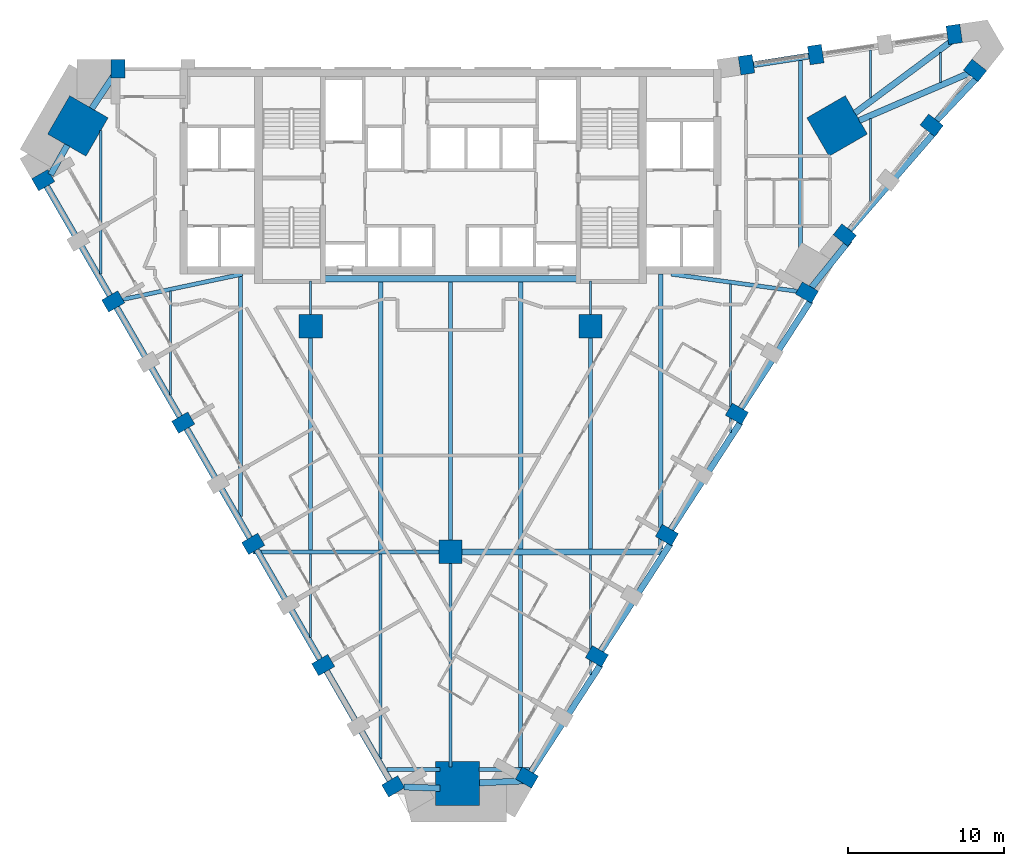
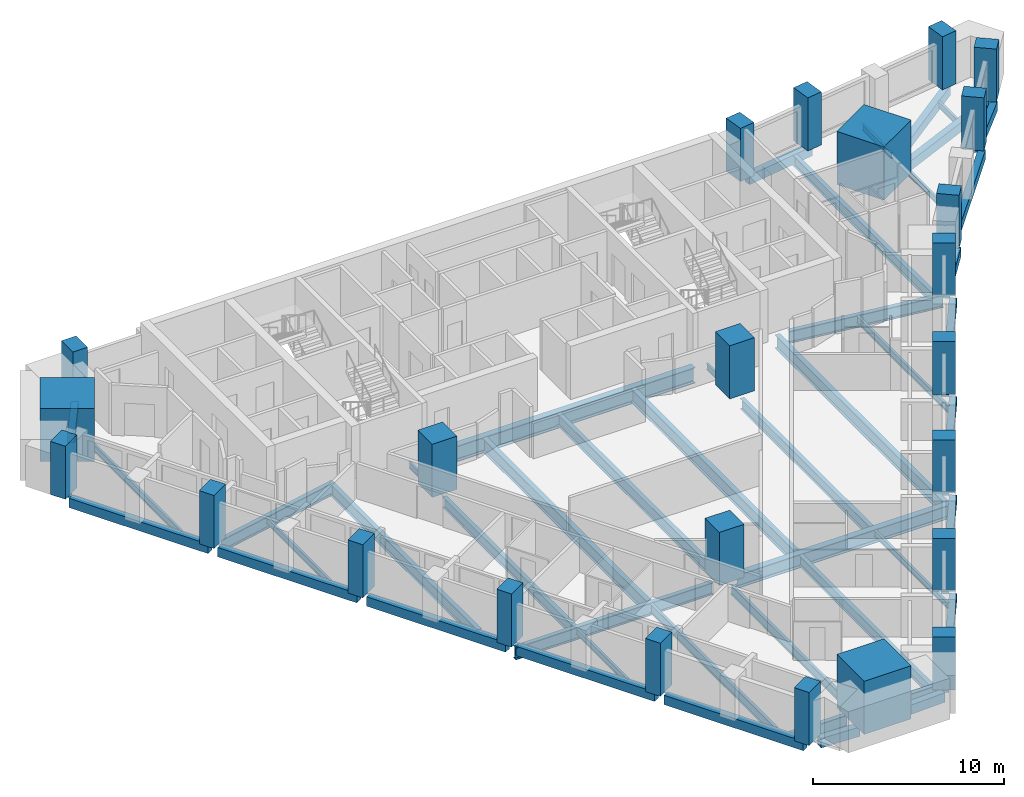
# One storey, part 1 of 11: 47 beams, 24 columns.
"""IFC4 building model written with IfcOpenShell, lengths in metres."""

from ifc_helpers import new_model, si_unit, direction, frame, origin, origin_2d, place, context, subcontext, project, spatial, rectangle, i_section, extrude, material, material_profile, profile_set, type_object, element, save


model = new_model("IFC4")

# Units and contexts
model_context = context("Model", 3, precision=1e-05, world=origin(), true_north=direction((0.0, 1.0)))
body_context = subcontext(model_context, "Body", "Model", "MODEL_VIEW")
ifc_project = project(units=[si_unit("LENGTHUNIT", "METRE"), si_unit("AREAUNIT", "SQUARE_METRE"), si_unit("VOLUMEUNIT", "CUBIC_METRE"), si_unit("PLANEANGLEUNIT", "RADIAN"), si_unit("MASSUNIT", "GRAM", prefix="KILO")], contexts=[model_context])

# Site, building, storey
site_placement = place(None, origin())
site = spatial("IfcSite", under=ifc_project, at=site_placement, CompositionType="ELEMENT")
building_placement = place(site_placement, origin())
building = spatial("IfcBuilding", under=site, at=building_placement, Name="Calabash Gate Tower", CompositionType="ELEMENT")
storey_placement = place(building_placement, frame((0.0, 0.0, 125.800048828125)))
storey = spatial("IfcBuildingStorey", under=building, at=storey_placement, Name="L29", CompositionType="ELEMENT", Elevation=125.800048828125)

# Columns
ifc_material_1 = material(Name="Concrete C80/95", Category="concrete")
ifc_material_profile_1 = material_profile(ifc_material_1, rectangle(XDim=1.5, YDim=1.5, at=origin_2d()))
ifc_profile_set_1 = profile_set([ifc_material_profile_1], Name="Concrete C80/95")
column_type_1 = type_object("IfcColumnType", Name="Interior column RC 1500x1500 Concrete C80/95", PredefinedType="COLUMN", material=ifc_profile_set_1)
for number, where, z_axis, x_axis, name in (
    (1, (-9.0, 2.5, 0.0), (0.0, 0.0, 1.0), (1.0, 0.0, 0.0), "Interior column L29 I0"),
    (2, (9.0, 2.5, 0.0), (0.0, 0.0, 1.0), (1.0, 0.0, 0.0), "Interior column L29 I1"),
    (3, (0.0, -12.0, 0.0), (0.0, 0.0, 1.0), (1.0, 0.0, 0.0), "Interior column L29 I2"),
):
    element("IfcColumn", number, at=place(storey_placement, frame(where, z_axis=z_axis, x_axis=x_axis)), inside=storey, type_object=column_type_1, Name=name, PredefinedType="COLUMN", context=body_context, shape_type="SweptSolid", body=[
        extrude(rectangle(XDim=1.5, YDim=1.5, at=origin_2d()), origin(), (0.0, 0.0, 1.0), 3.39990234375),
    ])
ifc_material_2 = material(Name="Concrete C80/95", Category="concrete")
ifc_material_profile_2 = material_profile(ifc_material_2, rectangle(XDim=2.85009765625, YDim=2.85009765625, at=origin_2d()))
ifc_profile_set_2 = profile_set([ifc_material_profile_2], Name="Concrete C80/95")
column_type_2 = type_object("IfcColumnType", Name="Mega column RC 2850x2850 Concrete C80/95", PredefinedType="COLUMN", material=ifc_profile_set_2)
for number, where, z_axis, x_axis, name in (
    (4, (-23.962890625, 15.382080078125, 0.0), (0.0, 0.0, 1.0), (0.866025403784, -0.5, 0.0), "Mega column L29 NW"),
    (5, (24.85205078125, 15.382080078125, 0.0), (0.0, 0.0, 1.0), (-0.866025403784, -0.5, 0.0), "Mega column L29 NE"),
    (6, (0.447021484375, -26.89306640625, 0.0), (0.0, 0.0, 1.0), (0.0, 1.0, 0.0), "Mega column L29 S"),
):
    element("IfcColumn", number, at=place(storey_placement, frame(where, z_axis=z_axis, x_axis=x_axis)), inside=storey, type_object=column_type_2, Name=name, PredefinedType="COLUMN", context=body_context, shape_type="SweptSolid", body=[
        extrude(rectangle(XDim=2.85009765625, YDim=2.85009765625, at=origin_2d()), origin(), (0.0, 0.0, 1.0), 3.39990234375),
    ])
ifc_material_3 = material(Name="Concrete C70/85", Category="concrete")
ifc_material_profile_3 = material_profile(ifc_material_3, rectangle(XDim=0.89990234375, YDim=1.199951171875, at=origin_2d()))
ifc_profile_set_3 = profile_set([ifc_material_profile_3], Name="Concrete C70/85")
column_type_3 = type_object("IfcColumnType", Name="Perimeter column RC 900x1200 Concrete C70/85", PredefinedType="COLUMN", material=ifc_profile_set_3)
for number, where, z_axis, x_axis, name in (
    (7, (-26.18798828125, 11.89404296875, 0.0), (0.0, 0.0, 1.0), (0.5, -0.866025403784, 0.0), "Perimeter column L29 P20"),
    (8, (-21.68798828125, 4.10009765625, 0.0), (0.0, 0.0, 1.0), (0.5, -0.866025403784, 0.0), "Perimeter column L29 P00"),
    (9, (-17.18798828125, -3.694091796875, 0.0), (0.0, 0.0, 1.0), (0.5, -0.866025403784, 0.0), "Perimeter column L29 P01"),
    (10, (-12.68798828125, -11.488037109375, 0.0), (0.0, 0.0, 1.0), (0.5, -0.866025403784, 0.0), "Perimeter column L29 P02"),
    (11, (-8.18798828125, -19.281982421875, 0.0), (0.0, 0.0, 1.0), (0.5, -0.866025403784, 0.0), "Perimeter column L29 P03"),
    (12, (-3.68798828125, -27.076904296875, 0.0), (0.0, 0.0, 1.0), (0.5, -0.866025403784, 0.0), "Perimeter column L29 P05"),
    (13, (4.906982421875, -26.506103515625, 0.0), (0.0, 0.0, 1.0), (0.5, 0.866025403784, 0.0), "Perimeter column L29 P08"),
    (14, (9.406982421875, -18.7119140625, 0.0), (0.0, 0.0, 1.0), (0.5, 0.866025403784, 0.0), "Perimeter column L29 P09"),
    (15, (13.906982421875, -10.91796875, 0.0), (0.0, 0.0, 1.0), (0.5, 0.866025403784, 0.0), "Perimeter column L29 P10"),
    (16, (18.406982421875, -3.1240234375, 0.0), (0.0, 0.0, 1.0), (0.5, 0.866025403784, 0.0), "Perimeter column L29 P11"),
    (17, (22.906982421875, 4.6708984375, 0.0), (0.0, 0.0, 1.0), (0.5, 0.866025403784, 0.0), "Perimeter column L29 P12"),
    (18, (25.345947265625, 8.366943359375, 0.0), (0.0, 0.0, 1.0), (0.620301172202, 0.784363726701, 0.0), "Perimeter column L29 P13"),
    (19, (30.928955078125, 15.424072265625, 0.0), (0.0, 0.0, 1.0), (0.620301172202, 0.784363726701, 0.0), "Perimeter column L29 P21"),
    (20, (33.719970703125, 18.9541015625, 0.0), (0.0, 0.0, 1.0), (0.620301172202, 0.784363726701, 0.0), "Perimeter column L29 P22"),
    (21, (32.3798828125, 21.27587890625, 0.0), (0.0, 0.0, 1.0), (-0.989429504293, -0.145014675236, 0.0), "Perimeter column L29 P23"),
    (22, (23.47705078125, 19.970947265625, 0.0), (0.0, 0.0, 1.0), (-0.989429504293, -0.145014675236, 0.0), "Perimeter column L29 P16"),
    (23, (19.02294921875, 19.318115234375, 0.0), (0.0, 0.0, 1.0), (-0.989429504293, -0.145014675236, 0.0), "Perimeter column L29 P24"),
    (24, (-21.39697265625, 19.052978515625, 0.0), (0.0, 0.0, 1.0), (-1.0, 0.0, 0.0), "Perimeter column L29 P17"),
):
    element("IfcColumn", number, at=place(storey_placement, frame(where, z_axis=z_axis, x_axis=x_axis)), inside=storey, type_object=column_type_3, Name=name, PredefinedType="COLUMN", context=body_context, shape_type="SweptSolid", body=[
        extrude(rectangle(XDim=0.89990234375, YDim=1.199951171875, at=origin_2d()), origin(), (0.0, 0.0, 1.0), 3.39990234375),
    ])

# Beams
ifc_material_4 = material(Name="Concrete C60/75", Category="concrete")
ifc_material_profile_4 = material_profile(ifc_material_4, rectangle(XDim=0.39990234375, YDim=0.60009765625, at=origin_2d()))
ifc_profile_set_4 = profile_set([ifc_material_profile_4], Name="Concrete C60/75")
beam_type_1 = type_object("IfcBeamType", Name="Edge beam RC 400x600 Concrete C60/75", PredefinedType="BEAM", material=ifc_profile_set_4)
beam_1_placement = place(storey_placement, frame((-16.969970703125, -4.072021484375, -0.469970703125), z_axis=(0.500003371769, -0.866023457084, 0.0), x_axis=(0.866023457084, 0.500003371769, 0.0)))
element("IfcBeam", 25, at=beam_1_placement, inside=storey, type_object=beam_type_1, Name="Edge beam L29 1", PredefinedType="BEAM", context=body_context, shape_type="SweptSolid", body=[
    extrude(rectangle(XDim=0.39990234375, YDim=0.60009765625, at=origin_2d()), origin(), (0.0, 0.0, 1.0), 8.42578125),
])
for number, where, z_axis, x_axis, name in (
    (26, (-12.469970703125, -11.865966796875, -0.469970703125), (0.499990825162, -0.866030700815, 0.0), (0.866030700815, 0.499990825162, 0.0), "Edge beam L29 2"),
    (27, (-7.969970703125, -19.659912109375, -0.469970703125), (0.499990825162, -0.866030700815, 0.0), (0.866030700815, 0.499990825162, 0.0), "Edge beam L29 3"),
):
    element("IfcBeam", number, at=place(storey_placement, frame(where, z_axis=z_axis, x_axis=x_axis)), inside=storey, type_object=beam_type_1, Name=name, PredefinedType="BEAM", context=body_context, shape_type="SweptSolid", body=[
        extrude(rectangle(XDim=0.39990234375, YDim=0.60009765625, at=origin_2d()), origin(), (0.0, 0.0, 1.0), 8.426025390625),
    ])
beam_2_placement = place(storey_placement, frame((-2.992919921875, -27.113037109375, -0.469970703125), z_axis=(0.999279436939, -0.037955327843, 0.0), x_axis=(0.037955327843, 0.999279436939, 0.0)))
element("IfcBeam", 28, at=beam_2_placement, inside=storey, type_object=beam_type_1, Name="Edge beam L29 4", PredefinedType="BEAM", context=body_context, shape_type="SweptSolid", body=[
    extrude(rectangle(XDim=0.39990234375, YDim=0.60009765625, at=origin_2d()), origin(), (0.0, 0.0, 1.0), 2.315673828125),
])
beam_3_placement = place(storey_placement, frame((1.85107421875, -26.85107421875, -0.469970703125), z_axis=(0.999046805248, 0.043651814669, 0.0), x_axis=(-0.043651814669, 0.999046805248, 0.0)))
element("IfcBeam", 29, at=beam_3_placement, inside=storey, type_object=beam_type_1, Name="Edge beam L29 5", PredefinedType="BEAM", context=body_context, shape_type="SweptSolid", body=[
    extrude(rectangle(XDim=0.39990234375, YDim=0.60009765625, at=origin_2d()), origin(), (0.0, 0.0, 1.0), 2.863525390625),
])
for number, where, z_axis, x_axis, name in (
    (30, (5.1669921875, -26.153076171875, -0.469970703125), (0.543559539771, 0.83937061345, 0.0), (-0.83937061345, 0.543559539771, 0.0), "Edge beam L29 6"),
    (31, (9.6669921875, -18.361083984375, -0.469970703125), (0.543559539771, 0.83937061345, 0.0), (-0.83937061345, 0.543559539771, 0.0), "Edge beam L29 7"),
):
    element("IfcBeam", number, at=place(storey_placement, frame(where, z_axis=z_axis, x_axis=x_axis)), inside=storey, type_object=beam_type_1, Name=name, PredefinedType="BEAM", context=body_context, shape_type="SweptSolid", body=[
        extrude(rectangle(XDim=0.39990234375, YDim=0.60009765625, at=origin_2d()), origin(), (0.0, 0.0, 1.0), 8.208740234375),
    ])
for number, where, z_axis, x_axis, name in (
    (32, (14.1669921875, -10.56591796875, -0.469970703125), (0.543627394435, 0.839326668241, 0.0), (-0.839326668241, 0.543627394435, 0.0), "Edge beam L29 8"),
    (33, (18.6669921875, -2.77197265625, -0.469970703125), (0.543627394435, 0.839326668241, 0.0), (-0.839326668241, 0.543627394435, 0.0), "Edge beam L29 9"),
):
    element("IfcBeam", number, at=place(storey_placement, frame(where, z_axis=z_axis, x_axis=x_axis)), inside=storey, type_object=beam_type_1, Name=name, PredefinedType="BEAM", context=body_context, shape_type="SweptSolid", body=[
        extrude(rectangle(XDim=0.39990234375, YDim=0.60009765625, at=origin_2d()), origin(), (0.0, 0.0, 1.0), 8.207763671875),
    ])
beam_4_placement = place(storey_placement, frame((23.2041015625, 5.0, -0.469970703125), z_axis=(0.627060232995, 0.778970772363, 0.0), x_axis=(-0.778970772363, 0.627060232995, 0.0)))
element("IfcBeam", 34, at=beam_4_placement, inside=storey, type_object=beam_type_1, Name="Edge beam L29 10", PredefinedType="BEAM", context=body_context, shape_type="SweptSolid", body=[
    extrude(rectangle(XDim=0.39990234375, YDim=0.60009765625, at=origin_2d()), origin(), (0.0, 0.0, 1.0), 3.91015625),
])
beam_5_placement = place(storey_placement, frame((25.637939453125, 8.66796875, -0.469970703125), z_axis=(0.655090472219, 0.755550443854, 0.0), x_axis=(-0.755550443854, 0.655090472219, 0.0)))
element("IfcBeam", 35, at=beam_5_placement, inside=storey, type_object=beam_type_1, Name="Edge beam L29 11", PredefinedType="BEAM", context=body_context, shape_type="SweptSolid", body=[
    extrude(rectangle(XDim=0.39990234375, YDim=0.60009765625, at=origin_2d()), origin(), (0.0, 0.0, 1.0), 8.542236328125),
])
beam_6_placement = place(storey_placement, frame((31.241943359375, 15.72412109375, -0.469970703125), z_axis=(0.685941332038, 0.727656848385, 0.0), x_axis=(-0.727656848385, 0.685941332038, 0.0)))
element("IfcBeam", 36, at=beam_6_placement, inside=storey, type_object=beam_type_1, Name="Edge beam L29 12", PredefinedType="BEAM", context=body_context, shape_type="SweptSolid", body=[
    extrude(rectangle(XDim=0.39990234375, YDim=0.60009765625, at=origin_2d()), origin(), (0.0, 0.0, 1.0), 4.026611328125),
])
beam_7_placement = place(storey_placement, frame((33.676025390625, 18.922119140625, -0.469970703125), z_axis=(-0.918385716092, -0.395686335977, 0.0), x_axis=(0.395686335977, -0.918385716092, 0.0)))
element("IfcBeam", 37, at=beam_7_placement, inside=storey, type_object=beam_type_1, Name="Edge beam L29 13", PredefinedType="BEAM", context=body_context, shape_type="SweptSolid", body=[
    extrude(rectangle(XDim=0.39990234375, YDim=0.60009765625, at=origin_2d()), origin(), (0.0, 0.0, 1.0), 8.0673828125),
])
beam_8_placement = place(storey_placement, frame((25.990966796875, 16.208984375, -0.469970703125), z_axis=(0.802179537522, 0.597082900091, 0.0), x_axis=(-0.597082900091, 0.802179537522, 0.0)))
element("IfcBeam", 38, at=beam_8_placement, inside=storey, type_object=beam_type_1, Name="Edge beam L29 14", PredefinedType="BEAM", context=body_context, shape_type="SweptSolid", body=[
    extrude(rectangle(XDim=0.39990234375, YDim=0.60009765625, at=origin_2d()), origin(), (0.0, 0.0, 1.0), 8.206298828125),
])
beam_9_placement = place(storey_placement, frame((23.638916015625, 19.968017578125, -0.469970703125), z_axis=(-0.988243286104, -0.152889527011, 0.0), x_axis=(0.152889527011, -0.988243286104, 0.0)))
element("IfcBeam", 39, at=beam_9_placement, inside=storey, type_object=beam_type_1, Name="Edge beam L29 16", PredefinedType="BEAM", context=body_context, shape_type="SweptSolid", body=[
    extrude(rectangle(XDim=0.39990234375, YDim=0.60009765625, at=origin_2d()), origin(), (0.0, 0.0, 1.0), 4.231689453125),
])
beam_10_placement = place(storey_placement, frame((-21.462890625, 18.9208984375, -0.469970703125), z_axis=(-0.552202083819, -0.833710296581, 0.0), x_axis=(0.833710296581, -0.552202083819, 0.0)))
element("IfcBeam", 40, at=beam_10_placement, inside=storey, type_object=beam_type_1, Name="Edge beam L29 17", PredefinedType="BEAM", context=body_context, shape_type="SweptSolid", body=[
    extrude(rectangle(XDim=0.39990234375, YDim=0.60009765625, at=origin_2d()), origin(), (0.0, 0.0, 1.0), 2.912353515625),
])
beam_11_placement = place(storey_placement, frame((-24.64306640625, 14.14990234375, -0.469970703125), z_axis=(-0.489610543482, -0.871941234093, 0.0), x_axis=(0.871941234093, -0.489610543482, 0.0)))
element("IfcBeam", 41, at=beam_11_placement, inside=storey, type_object=beam_type_1, Name="Edge beam L29 18", PredefinedType="BEAM", context=body_context, shape_type="SweptSolid", body=[
    extrude(rectangle(XDim=0.39990234375, YDim=0.60009765625, at=origin_2d()), origin(), (0.0, 0.0, 1.0), 2.191650390625),
])
beam_12_placement = place(storey_placement, frame((-25.969970703125, 11.51708984375, -0.469970703125), z_axis=(0.499990825162, -0.866030700815, 0.0), x_axis=(0.866030700815, 0.499990825162, 0.0)))
element("IfcBeam", 42, at=beam_12_placement, inside=storey, type_object=beam_type_1, Name="Edge beam L29 19", PredefinedType="BEAM", context=body_context, shape_type="SweptSolid", body=[
    extrude(rectangle(XDim=0.39990234375, YDim=0.60009765625, at=origin_2d()), origin(), (0.0, 0.0, 1.0), 8.426025390625),
])
beam_13_placement = place(storey_placement, frame((-21.469970703125, 3.721923828125, -0.469970703125), z_axis=(0.500103763521, -0.865965487599, 0.0), x_axis=(0.865965487599, 0.500103763521, 0.0)))
element("IfcBeam", 43, at=beam_13_placement, inside=storey, type_object=beam_type_1, Name="Edge beam L29 20", PredefinedType="BEAM", context=body_context, shape_type="SweptSolid", body=[
    extrude(rectangle(XDim=0.39990234375, YDim=0.60009765625, at=origin_2d()), origin(), (0.0, 0.0, 1.0), 8.424072265625),
])
ifc_material_5 = material(Name="Steel ASTM A992 Gr50", Category="steel")
ifc_material_profile_5 = material_profile(ifc_material_5, i_section(OverallWidth=0.1396484375, OverallDepth=0.398681640625, WebThickness=0.00634765625, FlangeThickness=0.0087890625, FilletRadius=0.01025390625, at=origin_2d()))
ifc_profile_set_5 = profile_set([ifc_material_profile_5], Name="Steel ASTM A992 Gr50")
beam_type_2 = type_object("IfcBeamType", Name="Floor beam W16x26 ASTM A992 Gr50", PredefinedType="BEAM", material=ifc_profile_set_5)
beam_14_placement = place(storey_placement, frame((-18.0, -1.919921875, -0.369140625), z_axis=(0.0, 1.0, 0.0), x_axis=(-1.0, 0.0, 0.0)))
element("IfcBeam", 44, at=beam_14_placement, inside=storey, type_object=beam_type_2, Name="Floor beam L29 2", PredefinedType="BEAM", context=body_context, shape_type="SweptSolid", body=[
    extrude(i_section(OverallWidth=0.1396484375, OverallDepth=0.398681640625, WebThickness=0.00634765625, FlangeThickness=0.0087890625, FilletRadius=0.01025390625, at=origin_2d()), origin(), (0.0, 0.0, 1.0), 6.697021484375),
])
beam_15_placement = place(storey_placement, frame((-9.0, -17.508056640625, -0.369140625), z_axis=(0.0, 1.0, 0.0), x_axis=(-1.0, 0.0, 0.0)))
element("IfcBeam", 45, at=beam_15_placement, inside=storey, type_object=beam_type_2, Name="Floor beam L29 4", PredefinedType="BEAM", context=body_context, shape_type="SweptSolid", body=[
    extrude(i_section(OverallWidth=0.1396484375, OverallDepth=0.398681640625, WebThickness=0.00634765625, FlangeThickness=0.0087890625, FilletRadius=0.01025390625, at=origin_2d()), origin(), (0.0, 0.0, 1.0), 5.375),
])
beam_16_placement = place(storey_placement, frame((-9.0, 3.25, -0.369140625), z_axis=(0.0, 1.0, 0.0), x_axis=(-1.0, 0.0, 0.0)))
element("IfcBeam", 46, at=beam_16_placement, inside=storey, type_object=beam_type_2, Name="Floor beam L29 6", PredefinedType="BEAM", context=body_context, shape_type="SweptSolid", body=[
    extrude(i_section(OverallWidth=0.1396484375, OverallDepth=0.398681640625, WebThickness=0.00634765625, FlangeThickness=0.0087890625, FilletRadius=0.01025390625, at=origin_2d()), origin(), (0.0, 0.0, 1.0), 2.153076171875),
])
beam_17_placement = place(storey_placement, frame((9.0, -19.89794921875, -0.369140625), z_axis=(0.0, 1.0, 0.0), x_axis=(-1.0, 0.0, 0.0)))
element("IfcBeam", 47, at=beam_17_placement, inside=storey, type_object=beam_type_2, Name="Floor beam L29 13", PredefinedType="BEAM", context=body_context, shape_type="SweptSolid", body=[
    extrude(i_section(OverallWidth=0.1396484375, OverallDepth=0.398681640625, WebThickness=0.00634765625, FlangeThickness=0.0087890625, FilletRadius=0.01025390625, at=origin_2d()), origin(), (0.0, 0.0, 1.0), 7.698974609375),
])
beam_18_placement = place(storey_placement, frame((9.0, 3.25, -0.369140625), z_axis=(0.0, 1.0, 0.0), x_axis=(-1.0, 0.0, 0.0)))
element("IfcBeam", 48, at=beam_18_placement, inside=storey, type_object=beam_type_2, Name="Floor beam L29 15", PredefinedType="BEAM", context=body_context, shape_type="SweptSolid", body=[
    extrude(i_section(OverallWidth=0.1396484375, OverallDepth=0.398681640625, WebThickness=0.00634765625, FlangeThickness=0.0087890625, FilletRadius=0.01025390625, at=origin_2d()), origin(), (0.0, 0.0, 1.0), 2.153076171875),
])
beam_19_placement = place(storey_placement, frame((27.0, 10.529052734375, -0.369140625), z_axis=(0.0, 1.0, 0.0), x_axis=(-1.0, 0.0, 0.0)))
element("IfcBeam", 49, at=beam_19_placement, inside=storey, type_object=beam_type_2, Name="Floor beam L29 19", PredefinedType="BEAM", context=body_context, shape_type="SweptSolid", body=[
    extrude(i_section(OverallWidth=0.1396484375, OverallDepth=0.398681640625, WebThickness=0.00634765625, FlangeThickness=0.0087890625, FilletRadius=0.01025390625, at=origin_2d()), origin(), (0.0, 0.0, 1.0), 5.327880859375),
])
beam_20_placement = place(storey_placement, frame((27.0, 17.197021484375, -0.369140625), z_axis=(0.0, 1.0, 0.0), x_axis=(-1.0, 0.0, 0.0)))
element("IfcBeam", 50, at=beam_20_placement, inside=storey, type_object=beam_type_2, Name="Floor beam L29 20", PredefinedType="BEAM", context=body_context, shape_type="SweptSolid", body=[
    extrude(i_section(OverallWidth=0.1396484375, OverallDepth=0.398681640625, WebThickness=0.00634765625, FlangeThickness=0.0087890625, FilletRadius=0.01025390625, at=origin_2d()), origin(), (0.0, 0.0, 1.0), 3.06005859375),
])
beam_21_placement = place(storey_placement, frame((31.5, 18.179931640625, -0.369140625), z_axis=(0.0, 1.0, 0.0), x_axis=(-1.0, 0.0, 0.0)))
element("IfcBeam", 51, at=beam_21_placement, inside=storey, type_object=beam_type_2, Name="Floor beam L29 21", PredefinedType="BEAM", context=body_context, shape_type="SweptSolid", body=[
    extrude(i_section(OverallWidth=0.1396484375, OverallDepth=0.398681640625, WebThickness=0.00634765625, FlangeThickness=0.0087890625, FilletRadius=0.01025390625, at=origin_2d()), origin(), (0.0, 0.0, 1.0), 1.9130859375),
])
ifc_material_6 = material(Name="Steel ASTM A992 Gr50", Category="steel")
ifc_material_profile_6 = material_profile(ifc_material_6, i_section(OverallWidth=0.15234375, OverallDepth=0.44970703125, WebThickness=0.007568359375, FlangeThickness=0.0107421875, FilletRadius=0.01025390625, at=origin_2d()))
ifc_profile_set_6 = profile_set([ifc_material_profile_6], Name="Steel ASTM A992 Gr50")
beam_type_3 = type_object("IfcBeamType", Name="Floor beam W18x35 ASTM A992 Gr50", PredefinedType="BEAM", material=ifc_profile_set_6)
beam_22_placement = place(storey_placement, frame((-22.5, 5.8740234375, -0.39306640625), z_axis=(0.0, 1.0, 0.0), x_axis=(-1.0, 0.0, 0.0)))
element("IfcBeam", 52, at=beam_22_placement, inside=storey, type_object=beam_type_3, Name="Floor beam L29 1", PredefinedType="BEAM", context=body_context, shape_type="SweptSolid", body=[
    extrude(i_section(OverallWidth=0.15234375, OverallDepth=0.44970703125, WebThickness=0.007568359375, FlangeThickness=0.0107421875, FilletRadius=0.01025390625, at=origin_2d()), origin(), (0.0, 0.0, 1.0), 9.218017578125),
])
beam_23_placement = place(storey_placement, frame((18.0, -4.31005859375, -0.39306640625), z_axis=(0.0, 1.0, 0.0), x_axis=(-1.0, 0.0, 0.0)))
element("IfcBeam", 53, at=beam_23_placement, inside=storey, type_object=beam_type_3, Name="Floor beam L29 17", PredefinedType="BEAM", context=body_context, shape_type="SweptSolid", body=[
    extrude(i_section(OverallWidth=0.15234375, OverallDepth=0.44970703125, WebThickness=0.007568359375, FlangeThickness=0.0107421875, FilletRadius=0.01025390625, at=origin_2d()), origin(), (0.0, 0.0, 1.0), 9.537109375),
])
ifc_material_7 = material(Name="Steel ASTM A992 Gr50", Category="steel")
ifc_material_profile_7 = material_profile(ifc_material_7, i_section(OverallWidth=0.1787109375, OverallDepth=0.60205078125, WebThickness=0.010986328125, FlangeThickness=0.014892578125, FilletRadius=0.0126953125, at=origin_2d()))
ifc_profile_set_7 = profile_set([ifc_material_profile_7], Name="Steel ASTM A992 Gr50")
beam_type_4 = type_object("IfcBeamType", Name="Floor beam W24x62 ASTM A992 Gr50", PredefinedType="BEAM", material=ifc_profile_set_7)
beam_24_placement = place(storey_placement, frame((-4.5, -25.302978515625, -0.470947265625), z_axis=(0.0, 1.0, 0.0), x_axis=(-1.0, 0.0, 0.0)))
element("IfcBeam", 54, at=beam_24_placement, inside=storey, type_object=beam_type_4, Name="Floor beam L29 7", PredefinedType="BEAM", context=body_context, shape_type="SweptSolid", body=[
    extrude(i_section(OverallWidth=0.1787109375, OverallDepth=0.60205078125, WebThickness=0.010986328125, FlangeThickness=0.014892578125, FilletRadius=0.0126953125, at=origin_2d()), origin(), (0.0, 0.0, 1.0), 13.169921875),
])
beam_25_placement = place(storey_placement, frame((0.0, -25.840087890625, -0.470947265625), z_axis=(0.0, 1.0, 0.0), x_axis=(-1.0, 0.0, 0.0)))
element("IfcBeam", 55, at=beam_25_placement, inside=storey, type_object=beam_type_4, Name="Floor beam L29 9", PredefinedType="BEAM", context=body_context, shape_type="SweptSolid", body=[
    extrude(i_section(OverallWidth=0.1787109375, OverallDepth=0.60205078125, WebThickness=0.010986328125, FlangeThickness=0.014892578125, FilletRadius=0.0126953125, at=origin_2d()), origin(), (0.0, 0.0, 1.0), 13.090087890625),
])
ifc_material_8 = material(Name="Steel ASTM A992 Gr50", Category="steel")
ifc_material_profile_8 = material_profile(ifc_material_8, i_section(OverallWidth=0.25390625, OverallDepth=0.67822265625, WebThickness=0.01171875, FlangeThickness=0.016357421875, FilletRadius=0.01513671875, at=origin_2d()))
ifc_profile_set_8 = profile_set([ifc_material_profile_8], Name="Steel ASTM A992 Gr50")
beam_type_5 = type_object("IfcBeamType", Name="Floor beam W27x84 ASTM A992 Gr50", PredefinedType="BEAM", material=ifc_profile_set_8)
beam_26_placement = place(storey_placement, frame((-9.0, -11.866943359375, -0.509033203125), z_axis=(0.0, 1.0, 0.0), x_axis=(-1.0, 0.0, 0.0)))
element("IfcBeam", 56, at=beam_26_placement, inside=storey, type_object=beam_type_5, Name="Floor beam L29 5", PredefinedType="BEAM", context=body_context, shape_type="SweptSolid", body=[
    extrude(i_section(OverallWidth=0.25390625, OverallDepth=0.67822265625, WebThickness=0.01171875, FlangeThickness=0.016357421875, FilletRadius=0.01513671875, at=origin_2d()), origin(), (0.0, 0.0, 1.0), 13.616943359375),
])
beam_27_placement = place(storey_placement, frame((4.5, -25.89892578125, -0.509033203125), z_axis=(0.0, 1.0, 0.0), x_axis=(-1.0, 0.0, 0.0)))
element("IfcBeam", 57, at=beam_27_placement, inside=storey, type_object=beam_type_5, Name="Floor beam L29 11", PredefinedType="BEAM", context=body_context, shape_type="SweptSolid", body=[
    extrude(i_section(OverallWidth=0.25390625, OverallDepth=0.67822265625, WebThickness=0.01171875, FlangeThickness=0.016357421875, FilletRadius=0.01513671875, at=origin_2d()), origin(), (0.0, 0.0, 1.0), 13.699951171875),
])
beam_28_placement = place(storey_placement, frame((9.0, -11.801025390625, -0.509033203125), z_axis=(0.0, 1.0, 0.0), x_axis=(-1.0, 0.0, 0.0)))
element("IfcBeam", 58, at=beam_28_placement, inside=storey, type_object=beam_type_5, Name="Floor beam L29 14", PredefinedType="BEAM", context=body_context, shape_type="SweptSolid", body=[
    extrude(i_section(OverallWidth=0.25390625, OverallDepth=0.67822265625, WebThickness=0.01171875, FlangeThickness=0.016357421875, FilletRadius=0.01513671875, at=origin_2d()), origin(), (0.0, 0.0, 1.0), 13.551025390625),
])
beam_29_placement = place(storey_placement, frame((22.5, 4.843994140625, -0.509033203125), z_axis=(0.0, 1.0, 0.0), x_axis=(-1.0, 0.0, 0.0)))
element("IfcBeam", 59, at=beam_29_placement, inside=storey, type_object=beam_type_5, Name="Floor beam L29 18", PredefinedType="BEAM", context=body_context, shape_type="SweptSolid", body=[
    extrude(i_section(OverallWidth=0.25390625, OverallDepth=0.67822265625, WebThickness=0.01171875, FlangeThickness=0.016357421875, FilletRadius=0.01513671875, at=origin_2d()), origin(), (0.0, 0.0, 1.0), 14.77197265625),
])
ifc_material_9 = material(Name="Steel ASTM A992 Gr50", Category="steel")
ifc_material_profile_9 = material_profile(ifc_material_9, i_section(OverallWidth=0.2666015625, OverallDepth=0.7568359375, WebThickness=0.013916015625, FlangeThickness=0.019287109375, FilletRadius=0.0166015625, at=origin_2d()))
ifc_profile_set_9 = profile_set([ifc_material_profile_9], Name="Steel ASTM A992 Gr50")
beam_type_6 = type_object("IfcBeamType", Name="Floor beam W30x108 ASTM A992 Gr50", PredefinedType="BEAM", material=ifc_profile_set_9)
beam_30_placement = place(storey_placement, frame((-13.5, -9.714111328125, -0.548095703125), z_axis=(0.0, 1.0, 0.0), x_axis=(-1.0, 0.0, 0.0)))
element("IfcBeam", 60, at=beam_30_placement, inside=storey, type_object=beam_type_6, Name="Floor beam L29 3", PredefinedType="BEAM", context=body_context, shape_type="SweptSolid", body=[
    extrude(i_section(OverallWidth=0.2666015625, OverallDepth=0.7568359375, WebThickness=0.013916015625, FlangeThickness=0.019287109375, FilletRadius=0.0166015625, at=origin_2d()), origin(), (0.0, 0.0, 1.0), 15.424072265625),
])
beam_31_placement = place(storey_placement, frame((0.0, -11.25, -0.548095703125), z_axis=(0.0, 1.0, 0.0), x_axis=(-1.0, 0.0, 0.0)))
element("IfcBeam", 61, at=beam_31_placement, inside=storey, type_object=beam_type_6, Name="Floor beam L29 10", PredefinedType="BEAM", context=body_context, shape_type="SweptSolid", body=[
    extrude(i_section(OverallWidth=0.2666015625, OverallDepth=0.7568359375, WebThickness=0.013916015625, FlangeThickness=0.019287109375, FilletRadius=0.0166015625, at=origin_2d()), origin(), (0.0, 0.0, 1.0), 16.60205078125),
])
ifc_material_10 = material(Name="Steel ASTM A992 Gr50", Category="steel")
ifc_material_profile_10 = material_profile(ifc_material_10, i_section(OverallWidth=0.2919921875, OverallDepth=0.845703125, WebThickness=0.015380859375, FlangeThickness=0.0244140625, FilletRadius=0.017822265625, at=origin_2d()))
ifc_profile_set_10 = profile_set([ifc_material_profile_10], Name="Steel ASTM A992 Gr50")
beam_type_7 = type_object("IfcBeamType", Name="Floor beam W33x141 ASTM A992 Gr50", PredefinedType="BEAM", material=ifc_profile_set_10)
beam_32_placement = place(storey_placement, frame((-4.5, -11.866943359375, -0.593017578125), z_axis=(0.0, 1.0, 0.0), x_axis=(-1.0, 0.0, 0.0)))
element("IfcBeam", 62, at=beam_32_placement, inside=storey, type_object=beam_type_7, Name="Floor beam L29 8", PredefinedType="BEAM", context=body_context, shape_type="SweptSolid", body=[
    extrude(i_section(OverallWidth=0.2919921875, OverallDepth=0.845703125, WebThickness=0.015380859375, FlangeThickness=0.0244140625, FilletRadius=0.017822265625, at=origin_2d()), origin(), (0.0, 0.0, 1.0), 17.218994140625),
])
beam_33_placement = place(storey_placement, frame((4.5, -11.801025390625, -0.593017578125), z_axis=(0.0, 1.0, 0.0), x_axis=(-1.0, 0.0, 0.0)))
element("IfcBeam", 63, at=beam_33_placement, inside=storey, type_object=beam_type_7, Name="Floor beam L29 12", PredefinedType="BEAM", context=body_context, shape_type="SweptSolid", body=[
    extrude(i_section(OverallWidth=0.2919921875, OverallDepth=0.845703125, WebThickness=0.015380859375, FlangeThickness=0.0244140625, FilletRadius=0.017822265625, at=origin_2d()), origin(), (0.0, 0.0, 1.0), 17.153076171875),
])
beam_34_placement = place(storey_placement, frame((13.5, -11.823974609375, -0.593017578125), z_axis=(0.0, 1.0, 0.0), x_axis=(-1.0, 0.0, 0.0)))
element("IfcBeam", 64, at=beam_34_placement, inside=storey, type_object=beam_type_7, Name="Floor beam L29 16", PredefinedType="BEAM", context=body_context, shape_type="SweptSolid", body=[
    extrude(i_section(OverallWidth=0.2919921875, OverallDepth=0.845703125, WebThickness=0.015380859375, FlangeThickness=0.0244140625, FilletRadius=0.017822265625, at=origin_2d()), origin(), (0.0, 0.0, 1.0), 17.677001953125),
])
ifc_material_11 = material(Name="Steel ASTM A992 Gr50", Category="steel")
ifc_material_profile_11 = material_profile(ifc_material_11, i_section(OverallWidth=0.2666015625, OverallDepth=0.77978515625, WebThickness=0.0166015625, FlangeThickness=0.030029296875, FilletRadius=0.0166015625, at=origin_2d()))
ifc_profile_set_11 = profile_set([ifc_material_profile_11], Name="Steel ASTM A992 Gr50")
beam_type_8 = type_object("IfcBeamType", Name="Girder W30x148 ASTM A992 Gr50", PredefinedType="BEAM", material=ifc_profile_set_11)
beam_35_placement = place(storey_placement, frame((-21.092041015625, 4.22607421875, -0.56005859375), z_axis=(0.978296589788, 0.207209513317, 0.0), x_axis=(-0.207209513317, 0.978296589788, 0.0)))
element("IfcBeam", 65, at=beam_35_placement, inside=storey, type_object=beam_type_8, Name="Girder L29 2", PredefinedType="BEAM", context=body_context, shape_type="SweptSolid", body=[
    extrude(i_section(OverallWidth=0.2666015625, OverallDepth=0.77978515625, WebThickness=0.0166015625, FlangeThickness=0.030029296875, FilletRadius=0.0166015625, at=origin_2d()), origin(), (0.0, 0.0, 1.0), 7.880126953125),
])
beam_36_placement = place(storey_placement, frame((22.841064453125, 4.678955078125, -0.56005859375), z_axis=(-0.990879596381, 0.134750233679, 0.0), x_axis=(-0.134750233679, -0.990879596381, 0.0)))
element("IfcBeam", 66, at=beam_36_placement, inside=storey, type_object=beam_type_8, Name="Girder L29 3", PredefinedType="BEAM", context=body_context, shape_type="SweptSolid", body=[
    extrude(i_section(OverallWidth=0.2666015625, OverallDepth=0.77978515625, WebThickness=0.0166015625, FlangeThickness=0.030029296875, FilletRadius=0.0166015625, at=origin_2d()), origin(), (0.0, 0.0, 1.0), 8.734619140625),
])
beam_37_placement = place(storey_placement, frame((-12.693115234375, -12.0, -0.56005859375), z_axis=(1.0, 0.0, 0.0), x_axis=(0.0, 1.0, 0.0)))
element("IfcBeam", 67, at=beam_37_placement, inside=storey, type_object=beam_type_8, Name="Girder L29 4", PredefinedType="BEAM", context=body_context, shape_type="SweptSolid", body=[
    extrude(i_section(OverallWidth=0.2666015625, OverallDepth=0.77978515625, WebThickness=0.0166015625, FlangeThickness=0.030029296875, FilletRadius=0.0166015625, at=origin_2d()), origin(), (0.0, 0.0, 1.0), 11.943115234375),
])
beam_38_placement = place(storey_placement, frame((-4.10009765625, -26.0, -0.56005859375), z_axis=(1.0, 0.0, 0.0), x_axis=(0.0, 1.0, 0.0)))
element("IfcBeam", 68, at=beam_38_placement, inside=storey, type_object=beam_type_8, Name="Girder L29 6", PredefinedType="BEAM", context=body_context, shape_type="SweptSolid", body=[
    extrude(i_section(OverallWidth=0.2666015625, OverallDepth=0.77978515625, WebThickness=0.0166015625, FlangeThickness=0.030029296875, FilletRadius=0.0166015625, at=origin_2d()), origin(), (0.0, 0.0, 1.0), 3.412109375),
])
beam_39_placement = place(storey_placement, frame((1.841064453125, -26.0, -0.56005859375), z_axis=(1.0, 0.0, 0.0), x_axis=(0.0, 1.0, 0.0)))
element("IfcBeam", 69, at=beam_39_placement, inside=storey, type_object=beam_type_8, Name="Girder L29 7", PredefinedType="BEAM", context=body_context, shape_type="SweptSolid", body=[
    extrude(i_section(OverallWidth=0.2666015625, OverallDepth=0.77978515625, WebThickness=0.0166015625, FlangeThickness=0.030029296875, FilletRadius=0.0166015625, at=origin_2d()), origin(), (0.0, 0.0, 1.0), 3.217041015625),
])
ifc_material_12 = material(Name="Steel ASTM A992 Gr50", Category="steel")
ifc_material_profile_12 = material_profile(ifc_material_12, i_section(OverallWidth=0.398681640625, OverallDepth=0.85595703125, WebThickness=0.018310546875, FlangeThickness=0.029296875, FilletRadius=0.02001953125, at=origin_2d()))
ifc_profile_set_12 = profile_set([ifc_material_profile_12], Name="Steel ASTM A992 Gr50")
beam_type_9 = type_object("IfcBeamType", Name="Girder W33x201 ASTM A992 Gr50", PredefinedType="BEAM", material=ifc_profile_set_12)
beam_40_placement = place(storey_placement, frame((0.75, -12.0, -0.59814453125), z_axis=(1.0, 0.0, 0.0), x_axis=(0.0, 1.0, 0.0)))
element("IfcBeam", 70, at=beam_40_placement, inside=storey, type_object=beam_type_9, Name="Girder L29 5", PredefinedType="BEAM", context=body_context, shape_type="SweptSolid", body=[
    extrude(i_section(OverallWidth=0.398681640625, OverallDepth=0.85595703125, WebThickness=0.018310546875, FlangeThickness=0.029296875, FilletRadius=0.02001953125, at=origin_2d()), origin(), (0.0, 0.0, 1.0), 12.822021484375),
])
ifc_material_13 = material(Name="Steel ASTM A992 Gr50", Category="steel")
ifc_material_profile_13 = material_profile(ifc_material_13, i_section(OverallWidth=0.4013671875, OverallDepth=1.000732421875, WebThickness=0.01904296875, FlangeThickness=0.0361328125, FilletRadius=0.030029296875, at=origin_2d()))
ifc_profile_set_13 = profile_set([ifc_material_profile_13], Name="Steel ASTM A992 Gr50")
beam_type_10 = type_object("IfcBeamType", Name="Girder W40x249 ASTM A992 Gr50", PredefinedType="BEAM", material=ifc_profile_set_13)
beam_41_placement = place(storey_placement, frame((-8.25, 5.552978515625, -0.670166015625), z_axis=(1.0, 0.0, 0.0), x_axis=(0.0, 1.0, 0.0)))
element("IfcBeam", 71, at=beam_41_placement, inside=storey, type_object=beam_type_10, Name="Girder L29 1", PredefinedType="BEAM", context=body_context, shape_type="SweptSolid", body=[
    extrude(i_section(OverallWidth=0.4013671875, OverallDepth=1.000732421875, WebThickness=0.01904296875, FlangeThickness=0.0361328125, FilletRadius=0.030029296875, at=origin_2d()), origin(), (0.0, 0.0, 1.0), 16.5),
])

save(model, "model.ifc")
